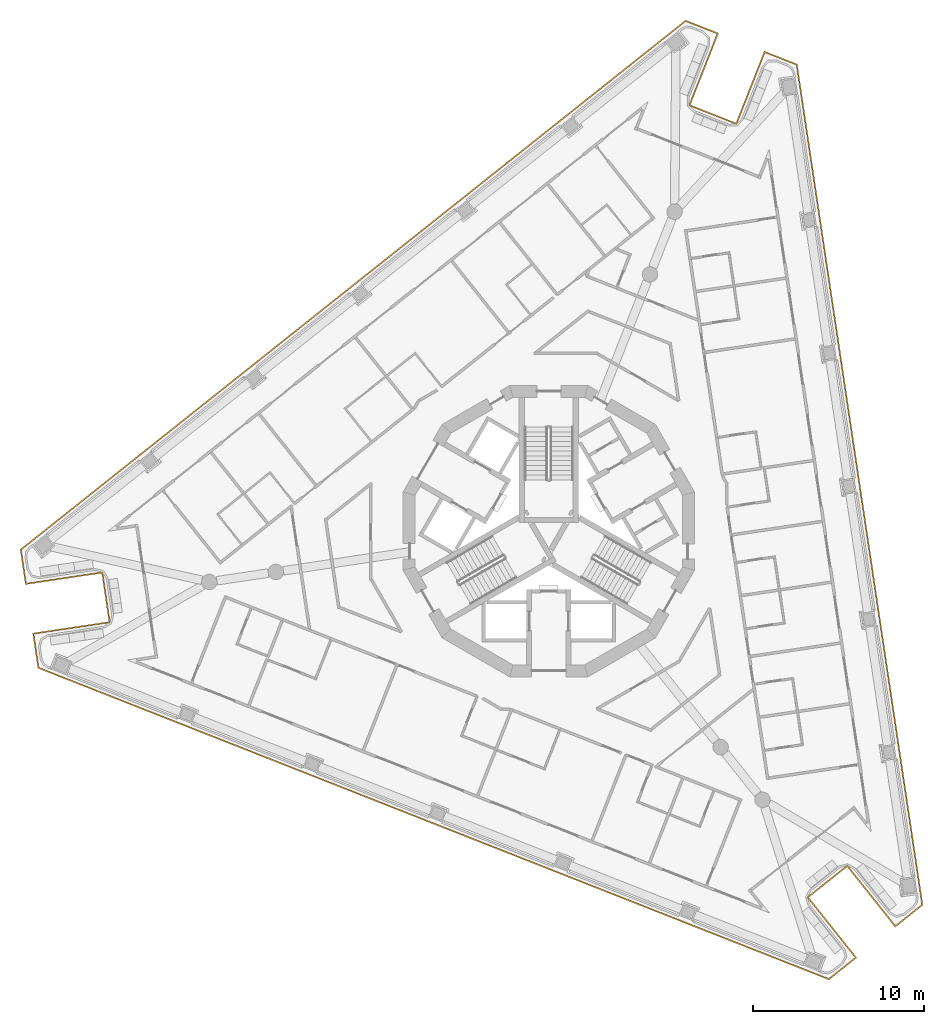
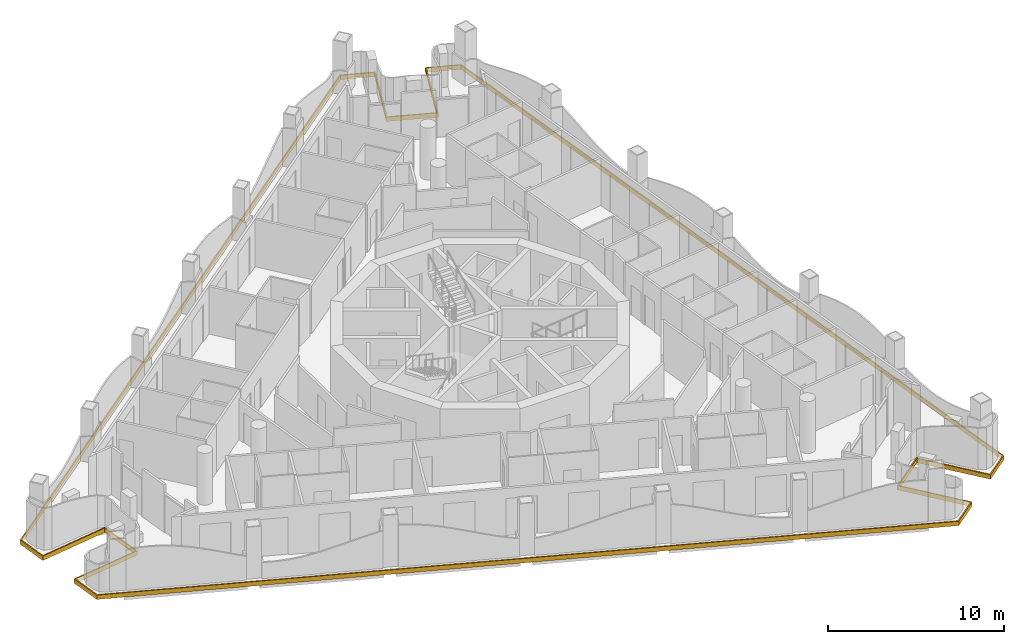
# One storey, part 12 of 16: 1 covering.
"""IFC4 building model written with IfcOpenShell, lengths in metres."""

from ifc_helpers import new_model, si_unit, direction, frame, origin, place, context, subcontext, project, spatial, polyline, outline, extrude, material, layer, layer_set, type_object, element, save


model = new_model("IFC4")

# Units and contexts
model_context = context("Model", 3, precision=1e-05, world=origin(), true_north=direction((0.0, 1.0)))
body_context = subcontext(model_context, "Body", "Model", "MODEL_VIEW")
ifc_project = project(units=[si_unit("LENGTHUNIT", "METRE"), si_unit("AREAUNIT", "SQUARE_METRE"), si_unit("VOLUMEUNIT", "CUBIC_METRE"), si_unit("PLANEANGLEUNIT", "RADIAN"), si_unit("MASSUNIT", "GRAM", prefix="KILO")], contexts=[model_context])

# Site, building, storey
site_placement = place(None, origin())
site = spatial("IfcSite", under=ifc_project, at=site_placement, CompositionType="ELEMENT")
building_placement = place(site_placement, origin())
building = spatial("IfcBuilding", under=site, at=building_placement, Name="Trine Commons Tower", CompositionType="ELEMENT")
storey_placement = place(building_placement, frame((0.0, 0.0, 219.60009765625)))
storey = spatial("IfcBuildingStorey", under=building, at=storey_placement, Name="L57", CompositionType="ELEMENT", Elevation=219.60009765625)

# Covering
ifc_material = material(Name="Limestone, honed", Category="masonry")
ifc_layer = layer(ifc_material, 0.074951171875)
ifc_layer_set = layer_set([ifc_layer], Name="Limestone, honed")
covering_type = type_object("IfcCoveringType", Name="Limestone spandrel panel 75", PredefinedType="CLADDING", material=ifc_layer_set)
covering_placement = place(storey_placement, frame((0.0, 0.0, -0.300048828125)))
element("IfcCovering", 1, at=covering_placement, inside=storey, type_object=covering_type, Name="Limestone spandrel panel 6-01", PredefinedType="CLADDING", context=body_context, shape_type="SweptSolid", body=[
    extrude(outline(polyline([(97.397705078125, 42.917236328125), (100.198974609375, 39.3955078125), (101.82861328125, 40.69189453125), (94.498779296875, 89.7373046875), (92.561279296875, 90.50048828125), (90.912109375, 86.313720703125), (88.26025390625, 87.358154296875), (89.90966796875, 91.545166015625), (87.97216796875, 92.308349609375), (49.162353515625, 61.4375), (49.47021484375, 59.378173828125), (53.9208984375, 60.043212890625), (54.342041015625, 57.224609375), (49.891357421875, 56.559326171875), (50.19921875, 54.5), (96.3388671875, 36.324951171875), (97.968505859375, 37.621337890625), (95.167236328125, 41.14306640625), (97.397705078125, 42.917236328125)]), holes=[polyline([(92.603515625, 90.4033203125), (94.430908203125, 89.683349609375), (101.748046875, 40.7236328125), (100.2109375, 39.5009765625), (97.40966796875, 43.022705078125), (95.061767578125, 41.155029296875), (97.86328125, 37.63330078125), (96.325927734375, 36.41064453125), (50.26708984375, 54.5537109375), (49.976806640625, 56.496337890625), (54.42724609375, 57.16162109375), (53.98388671875, 60.12841796875), (49.533203125, 59.46337890625), (49.242919921875, 61.406005859375), (87.98486328125, 92.22265625), (89.812255859375, 91.502685546875), (88.1630859375, 87.31591796875), (90.954345703125, 86.21630859375), (92.603515625, 90.4033203125)])]), origin(), (0.0, 0.0, 1.0), 0.300048828125),
])

save(model, "model.ifc")
